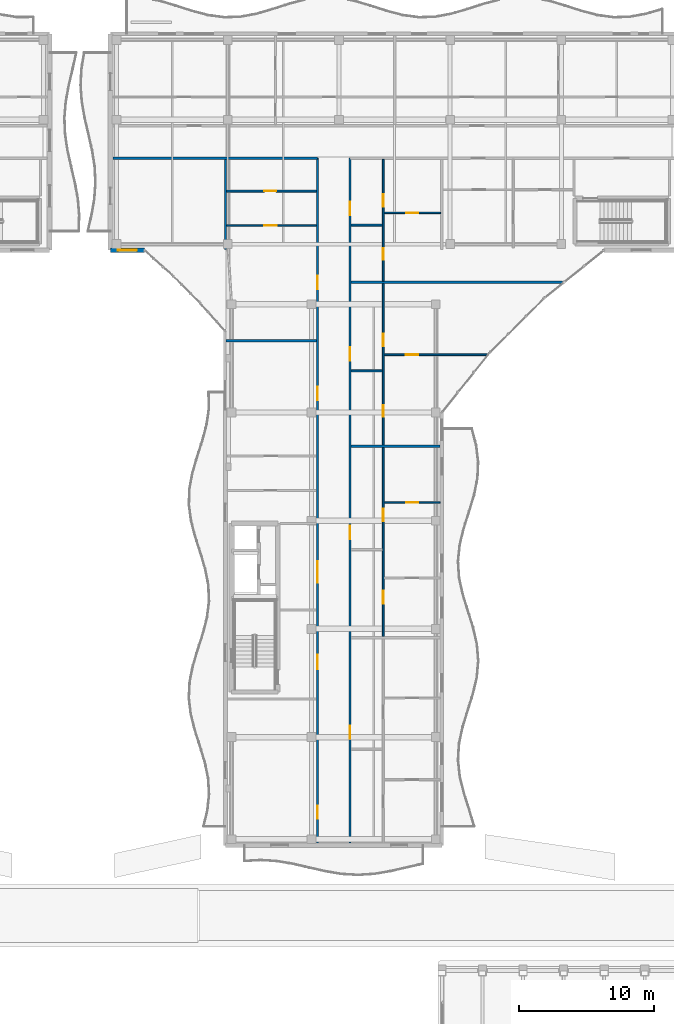
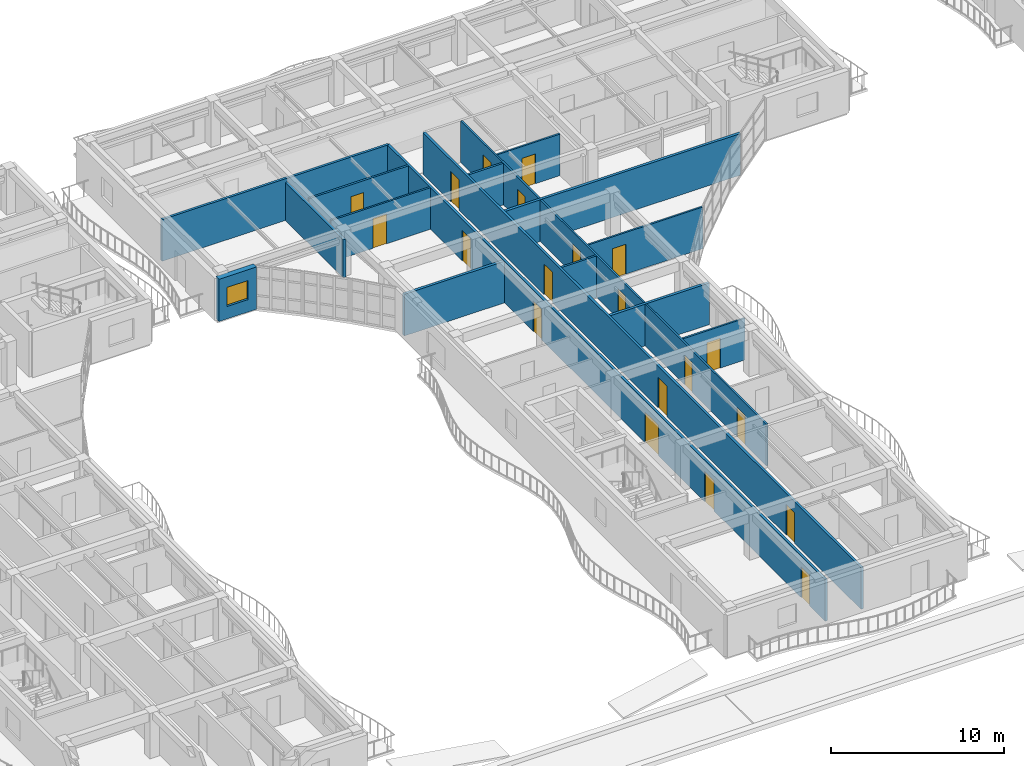
# One storey, part 88 of 128: 20 doors, 18 walls, 1 window, 21 openings.
"""IFC4 building model written with IfcOpenShell, lengths in metres."""

from ifc_helpers import new_model, si_unit, direction, frame, frame_2d, origin, place, context, subcontext, project, spatial, rectangle, extrude, material, layer, layer_set, type_object, element, fill, save


model = new_model("IFC4")

# Units and contexts
model_context = context("Model", 3, precision=1e-05, world=origin(), true_north=direction((0.0, 1.0)))
body_context = subcontext(model_context, "Body", "Model", "MODEL_VIEW")
ifc_project = project(units=[si_unit("LENGTHUNIT", "METRE"), si_unit("AREAUNIT", "SQUARE_METRE"), si_unit("VOLUMEUNIT", "CUBIC_METRE"), si_unit("PLANEANGLEUNIT", "RADIAN"), si_unit("MASSUNIT", "GRAM", prefix="KILO")], contexts=[model_context])

# Site, building, storey
site_placement = place(None, origin())
site = spatial("IfcSite", under=ifc_project, at=site_placement, CompositionType="ELEMENT")
building_placement = place(site_placement, origin())
building = spatial("IfcBuilding", under=site, at=building_placement, Name="Keldmere Railside Commons", CompositionType="ELEMENT")
storey_placement = place(building_placement, frame((0.0, 0.0, 4.159912109375)))
storey = spatial("IfcBuildingStorey", under=building, at=storey_placement, Name="L01", CompositionType="ELEMENT", Elevation=4.159912109375)

# Walls
ifc_material_1 = material(Name="Acoustic Gypsum Board Partition", Category="gypsum")
ifc_layer_1 = layer(ifc_material_1, 0.179931640625, Name="Acoustic Demising Partition 180")
ifc_layer_set_1 = layer_set([ifc_layer_1], Name="Acoustic Gypsum Board Partition")
wall_type_1 = type_object("IfcWallType", Name="Acoustic Demising Partition 180", PredefinedType="PARTITIONING", material=ifc_layer_set_1)
wall_1_placement = place(storey_placement, frame((48.0, 100.050048828125, 0.0), z_axis=(0.0, 0.0, 1.0), x_axis=(0.0, 1.0, 0.0)))
element("IfcWall", 1, at=wall_1_placement, inside=storey, type_object=wall_type_1, Name="IW-1 IW-L01-0512", PredefinedType="PARTITIONING", context=body_context, shape_type="SweptSolid", body=[
    extrude(rectangle(XDim=6.669921875, YDim=0.179931640625, at=frame_2d((3.3349609375, 0.0))), origin(), (0.0, 0.0, 1.0), 2.68017578125),
])
wall_2_placement = place(storey_placement, frame((57.280029296875, 85.489990234375, 0.0), z_axis=(0.0, 0.0, 1.0), x_axis=(1.0, 0.0, 0.0)))
element("IfcWall", 2, at=wall_2_placement, inside=storey, type_object=wall_type_1, Name="IW-1 IW-L01-0516", PredefinedType="PARTITIONING", context=body_context, shape_type="SweptSolid", body=[
    extrude(rectangle(XDim=6.590087890625, YDim=0.179931640625, at=frame_2d((3.294921875, 0.0))), origin(), (0.0, 0.0, 1.0), 2.93505859375),
])
wall_3_placement = place(storey_placement, frame((57.280029296875, 97.6201171875, 0.0), z_axis=(0.0, 0.0, 1.0), x_axis=(1.0, 0.0, 0.0)))
element("IfcWall", 3, at=wall_3_placement, inside=storey, type_object=wall_type_1, Name="IW-1 IW-L01-0517", PredefinedType="PARTITIONING", context=body_context, shape_type="SweptSolid", body=[
    extrude(rectangle(XDim=15.689453125, YDim=0.179931640625, at=frame_2d((7.8447265625, 0.0))), origin(), (0.0, 0.0, 1.0), 2.93505859375),
])
wall_4_placement = place(storey_placement, frame((48.0400390625, 93.300048828125, 0.0), z_axis=(0.0, 0.0, 1.0), x_axis=(1.0, 0.0, 0.0)))
element("IfcWall", 4, at=wall_4_placement, inside=storey, type_object=wall_type_1, Name="IW-1 IW-L01-0542", PredefinedType="PARTITIONING", context=body_context, shape_type="SweptSolid", body=[
    extrude(rectangle(XDim=6.679931640625, YDim=0.179931640625, at=frame_2d((3.33984375, 0.0))), origin(), (0.0, 0.0, 1.0), 2.93505859375),
])

# Wall, openings, doors
ifc_layer_2 = layer(ifc_material_1, 0.1201171875, Name="Apartment Interior Partition 120")
ifc_layer_set_2 = layer_set([ifc_layer_2], Name="Acoustic Gypsum Board Partition")
wall_type_2 = type_object("IfcWallType", Name="Apartment Interior Partition 120", PredefinedType="PARTITIONING", material=ifc_layer_set_2)
wall_5_placement = place(storey_placement, frame((59.659912109375, 71.429931640625, 0.0), z_axis=(0.0, 0.0, 1.0), x_axis=(0.0, 1.0, 0.0)))
wall_5 = element("IfcWall", 5, at=wall_5_placement, inside=storey, type_object=wall_type_2, Name="IW-4 IW-L01-0522", PredefinedType="PARTITIONING", context=body_context, shape_type="SweptSolid", body=[
    extrude(rectangle(XDim=13.969970703125, YDim=0.1201171875, at=frame_2d((6.98486328125, 0.0))), origin(), (0.0, 0.0, 1.0), 2.93505859375),
])
opening_1_placement = place(wall_5_placement, frame((2.443359375, 0.0, 0.0)))
opening_1 = element("IfcOpeningElement", 6, at=opening_1_placement, cuts=wall_5, Name="Opening ID-05", PredefinedType="OPENING", context=body_context, shape_type="SweptSolid", body=[
    extrude(rectangle(XDim=0.93994140625, YDim=2.10009765625, at=frame_2d((0.469970703125, 1.050048828125))), frame((0.0, 0.070068359375, 0.0), z_axis=(0.0, -1.0, 0.0), x_axis=(1.0, 0.0, 0.0)), (0.0, 0.0, 1.0), 0.14013671875),
])
opening_2_placement = place(wall_5_placement, frame((8.541259765625, 0.0, 0.0)))
opening_2 = element("IfcOpeningElement", 7, at=opening_2_placement, cuts=wall_5, Name="Opening ID-03", PredefinedType="OPENING", context=body_context, shape_type="SweptSolid", body=[
    extrude(rectangle(XDim=0.919921875, YDim=2.10009765625, at=frame_2d((0.4599609375, 1.050048828125))), frame((0.0, 0.070068359375, 0.0), z_axis=(0.0, -1.0, 0.0), x_axis=(1.0, 0.0, 0.0)), (0.0, 0.0, 1.0), 0.14013671875),
])
ifc_material_2 = material(Name="Engineered Oak Timber", Category="wood")
door_type_1 = type_object("IfcDoorType", Name="Accessible Bathroom Door 940x2100", OperationType="NOTDEFINED", PredefinedType="DOOR", material=ifc_material_2)
door_1_placement = place(opening_1_placement, origin())
door_1 = element("IfcDoor", 8, at=door_1_placement, inside=storey, type_object=door_type_1, Name="ID-05 IDR-L01-0411", OperationType="SINGLE_SWING_LEFT", OverallHeight=2.10009765625, OverallWidth=0.93994140625, PredefinedType="DOOR", context=body_context, shape_type="SweptSolid", body=[
    extrude(rectangle(XDim=0.93994140625, YDim=2.10009765625, at=frame_2d((0.469970703125, 1.050048828125))), frame((0.0, 0.02490234375, 0.0), z_axis=(0.0, -1.0, 0.0), x_axis=(1.0, 0.0, 0.0)), (0.0, 0.0, 1.0), 0.050048828125),
])
fill(opening_1, door_1)
door_type_2 = type_object("IfcDoorType", Name="Kitchen Pocket-Frame Swing Door 920x2100", OperationType="NOTDEFINED", PredefinedType="DOOR", material=ifc_material_2)
door_2_placement = place(opening_2_placement, origin())
door_2 = element("IfcDoor", 9, at=door_2_placement, inside=storey, type_object=door_type_2, Name="ID-03 IDR-L01-0412", OperationType="SINGLE_SWING_RIGHT", OverallHeight=2.10009765625, OverallWidth=0.919921875, PredefinedType="DOOR", context=body_context, shape_type="SweptSolid", body=[
    extrude(rectangle(XDim=0.919921875, YDim=2.10009765625, at=frame_2d((0.4599609375, 1.050048828125))), frame((0.0, 0.02490234375, 0.0), z_axis=(0.0, -1.0, 0.0), x_axis=(1.0, 0.0, 0.0)), (0.0, 0.0, 1.0), 0.050048828125),
])
fill(opening_2, door_2)

# Wall, opening, door
wall_6_placement = place(storey_placement, frame((59.719970703125, 81.35009765625, 0.0), z_axis=(0.0, 0.0, 1.0), x_axis=(1.0, 0.0, 0.0)))
wall_6 = element("IfcWall", 10, at=wall_6_placement, inside=storey, type_object=wall_type_2, Name="IW-4 IW-L01-0525", PredefinedType="PARTITIONING", context=body_context, shape_type="SweptSolid", body=[
    extrude(rectangle(XDim=4.150146484375, YDim=0.1201171875, at=frame_2d((2.0751953125, 0.0))), origin(), (0.0, 0.0, 1.0), 2.93505859375),
])
opening_3_placement = place(wall_6_placement, frame((1.635009765625, 0.0, 0.0)))
opening_3 = element("IfcOpeningElement", 11, at=opening_3_placement, cuts=wall_6, Name="Opening ID-02", PredefinedType="OPENING", context=body_context, shape_type="SweptSolid", body=[
    extrude(rectangle(XDim=0.8798828125, YDim=2.10009765625, at=frame_2d((0.43994140625, 1.050048828125))), frame((0.0, 0.070068359375, 0.0), z_axis=(0.0, -1.0, 0.0), x_axis=(1.0, 0.0, 0.0)), (0.0, 0.0, 1.0), 0.14013671875),
])
door_type_3 = type_object("IfcDoorType", Name="Secondary Bedroom Door 880x2100", OperationType="NOTDEFINED", PredefinedType="DOOR", material=ifc_material_2)
door_3_placement = place(opening_3_placement, origin())
door_3 = element("IfcDoor", 12, at=door_3_placement, inside=storey, type_object=door_type_3, Name="ID-02 IDR-L01-0415", OperationType="SINGLE_SWING_LEFT", OverallHeight=2.10009765625, OverallWidth=0.8798828125, PredefinedType="DOOR", context=body_context, shape_type="SweptSolid", body=[
    extrude(rectangle(XDim=0.8798828125, YDim=2.10009765625, at=frame_2d((0.43994140625, 1.050048828125))), frame((0.0, 0.02490234375, 0.0), z_axis=(0.0, -1.0, 0.0), x_axis=(1.0, 0.0, 0.0)), (0.0, 0.0, 1.0), 0.050048828125),
])
fill(opening_3, door_3)

# Wall, openings, doors
wall_7_placement = place(storey_placement, frame((59.659912109375, 85.580078125, 0.0), z_axis=(0.0, 0.0, 1.0), x_axis=(0.0, 1.0, 0.0)))
wall_7 = element("IfcWall", 13, at=wall_7_placement, inside=storey, type_object=wall_type_2, Name="IW-4 IW-L01-0526", PredefinedType="PARTITIONING", context=body_context, shape_type="SweptSolid", body=[
    extrude(rectangle(XDim=11.949951171875, YDim=0.1201171875, at=frame_2d((5.97509765625, 0.0))), origin(), (0.0, 0.0, 1.0), 2.93505859375),
])
opening_4_placement = place(wall_7_placement, frame((2.090087890625, 0.0, 0.0)))
opening_4 = element("IfcOpeningElement", 14, at=opening_4_placement, cuts=wall_7, Name="Opening ID-04", PredefinedType="OPENING", context=body_context, shape_type="SweptSolid", body=[
    extrude(rectangle(XDim=0.860107421875, YDim=2.10009765625, at=frame_2d((0.43017578125, 1.050048828125))), frame((0.0, 0.070068359375, 0.0), z_axis=(0.0, -1.0, 0.0), x_axis=(1.0, 0.0, 0.0)), (0.0, 0.0, 1.0), 0.14013671875),
])
opening_5_placement = place(wall_7_placement, frame((7.305908203125, 0.0, 0.0)))
opening_5 = element("IfcOpeningElement", 15, at=opening_5_placement, cuts=wall_7, Name="Opening ID-03", PredefinedType="OPENING", context=body_context, shape_type="SweptSolid", body=[
    extrude(rectangle(XDim=0.919921875, YDim=2.10009765625, at=frame_2d((0.4599609375, 1.050048828125))), frame((0.0, 0.070068359375, 0.0), z_axis=(0.0, -1.0, 0.0), x_axis=(1.0, 0.0, 0.0)), (0.0, 0.0, 1.0), 0.14013671875),
])
door_type_4 = type_object("IfcDoorType", Name="Apartment Bathroom Door 860x2100", OperationType="NOTDEFINED", PredefinedType="DOOR", material=ifc_material_2)
door_4_placement = place(opening_4_placement, origin())
door_4 = element("IfcDoor", 16, at=door_4_placement, inside=storey, type_object=door_type_4, Name="ID-04 IDR-L01-0416", OperationType="SINGLE_SWING_RIGHT", OverallHeight=2.10009765625, OverallWidth=0.860107421875, PredefinedType="DOOR", context=body_context, shape_type="SweptSolid", body=[
    extrude(rectangle(XDim=0.860107421875, YDim=2.10009765625, at=frame_2d((0.43017578125, 1.050048828125))), frame((0.0, 0.02490234375, 0.0), z_axis=(0.0, -1.0, 0.0), x_axis=(1.0, 0.0, 0.0)), (0.0, 0.0, 1.0), 0.050048828125),
])
fill(opening_4, door_4)
door_5_placement = place(opening_5_placement, origin())
door_5 = element("IfcDoor", 17, at=door_5_placement, inside=storey, type_object=door_type_2, Name="ID-03 IDR-L01-0417", OperationType="SINGLE_SWING_LEFT", OverallHeight=2.10009765625, OverallWidth=0.919921875, PredefinedType="DOOR", context=body_context, shape_type="SweptSolid", body=[
    extrude(rectangle(XDim=0.919921875, YDim=2.10009765625, at=frame_2d((0.4599609375, 1.050048828125))), frame((0.0, 0.02490234375, 0.0), z_axis=(0.0, -1.0, 0.0), x_axis=(1.0, 0.0, 0.0)), (0.0, 0.0, 1.0), 0.050048828125),
])
fill(opening_5, door_5)

# Wall, opening, door
wall_8_placement = place(storey_placement, frame((59.719970703125, 92.27001953125, 0.0), z_axis=(0.0, 0.0, 1.0), x_axis=(1.0, 0.0, 0.0)))
wall_8 = element("IfcWall", 18, at=wall_8_placement, inside=storey, type_object=wall_type_2, Name="IW-4 IW-L01-0528", PredefinedType="PARTITIONING", context=body_context, shape_type="SweptSolid", body=[
    extrude(rectangle(XDim=7.654541015625, YDim=0.1201171875, at=frame_2d((3.8271484375, 0.0))), origin(), (0.0, 0.0, 1.0), 2.93505859375),
])
opening_6_placement = place(wall_8_placement, frame((1.625, 0.0, 0.0)))
opening_6 = element("IfcOpeningElement", 19, at=opening_6_placement, cuts=wall_8, Name="Opening ID-01", PredefinedType="OPENING", context=body_context, shape_type="SweptSolid", body=[
    extrude(rectangle(XDim=0.89990234375, YDim=2.10009765625, at=frame_2d((0.449951171875, 1.050048828125))), frame((0.0, 0.070068359375, 0.0), z_axis=(0.0, -1.0, 0.0), x_axis=(1.0, 0.0, 0.0)), (0.0, 0.0, 1.0), 0.14013671875),
])
door_type_5 = type_object("IfcDoorType", Name="Primary Bedroom Door 900x2100", OperationType="NOTDEFINED", PredefinedType="DOOR", material=ifc_material_2)
door_6_placement = place(opening_6_placement, origin())
door_6 = element("IfcDoor", 20, at=door_6_placement, inside=storey, type_object=door_type_5, Name="ID-01 IDR-L01-0419", OperationType="SINGLE_SWING_LEFT", OverallHeight=2.10009765625, OverallWidth=0.89990234375, PredefinedType="DOOR", context=body_context, shape_type="SweptSolid", body=[
    extrude(rectangle(XDim=0.89990234375, YDim=2.10009765625, at=frame_2d((0.449951171875, 1.050048828125))), frame((0.0, 0.02490234375, 0.0), z_axis=(0.0, -1.0, 0.0), x_axis=(1.0, 0.0, 0.0)), (0.0, 0.0, 1.0), 0.050048828125),
])
fill(opening_6, door_6)

# Wall, openings, doors
wall_9_placement = place(storey_placement, frame((59.659912109375, 97.7099609375, 0.0), z_axis=(0.0, 0.0, 1.0), x_axis=(0.0, 1.0, 0.0)))
wall_9 = element("IfcWall", 21, at=wall_9_placement, inside=storey, type_object=wall_type_2, Name="IW-4 IW-L01-0529", PredefinedType="PARTITIONING", context=body_context, shape_type="SweptSolid", body=[
    extrude(rectangle(XDim=9.010009765625, YDim=0.1201171875, at=frame_2d((4.5048828125, 0.0))), origin(), (0.0, 0.0, 1.0), 2.93505859375),
])
opening_7_placement = place(wall_9_placement, frame((1.5732421875, 0.0, 0.0)))
opening_7 = element("IfcOpeningElement", 22, at=opening_7_placement, cuts=wall_9, Name="Opening ID-04", PredefinedType="OPENING", context=body_context, shape_type="SweptSolid", body=[
    extrude(rectangle(XDim=0.860107421875, YDim=2.10009765625, at=frame_2d((0.43017578125, 1.050048828125))), frame((0.0, 0.070068359375, 0.0), z_axis=(0.0, -1.0, 0.0), x_axis=(1.0, 0.0, 0.0)), (0.0, 0.0, 1.0), 0.14013671875),
])
opening_8_placement = place(wall_9_placement, frame((5.503662109375, 0.0, 0.0)))
opening_8 = element("IfcOpeningElement", 23, at=opening_8_placement, cuts=wall_9, Name="Opening ID-03", PredefinedType="OPENING", context=body_context, shape_type="SweptSolid", body=[
    extrude(rectangle(XDim=0.919921875, YDim=2.10009765625, at=frame_2d((0.4599609375, 1.050048828125))), frame((0.0, 0.070068359375, 0.0), z_axis=(0.0, -1.0, 0.0), x_axis=(1.0, 0.0, 0.0)), (0.0, 0.0, 1.0), 0.14013671875),
])
door_7_placement = place(opening_7_placement, origin())
door_7 = element("IfcDoor", 24, at=door_7_placement, inside=storey, type_object=door_type_4, Name="ID-04 IDR-L01-0420", OperationType="SINGLE_SWING_RIGHT", OverallHeight=2.10009765625, OverallWidth=0.860107421875, PredefinedType="DOOR", context=body_context, shape_type="SweptSolid", body=[
    extrude(rectangle(XDim=0.860107421875, YDim=2.10009765625, at=frame_2d((0.43017578125, 1.050048828125))), frame((0.0, 0.02490234375, 0.0), z_axis=(0.0, -1.0, 0.0), x_axis=(1.0, 0.0, 0.0)), (0.0, 0.0, 1.0), 0.050048828125),
])
fill(opening_7, door_7)
door_8_placement = place(opening_8_placement, origin())
door_8 = element("IfcDoor", 25, at=door_8_placement, inside=storey, type_object=door_type_2, Name="ID-03 IDR-L01-0421", OperationType="SINGLE_SWING_LEFT", OverallHeight=2.10009765625, OverallWidth=0.919921875, PredefinedType="DOOR", context=body_context, shape_type="SweptSolid", body=[
    extrude(rectangle(XDim=0.919921875, YDim=2.10009765625, at=frame_2d((0.4599609375, 1.050048828125))), frame((0.0, 0.02490234375, 0.0), z_axis=(0.0, -1.0, 0.0), x_axis=(1.0, 0.0, 0.0)), (0.0, 0.0, 1.0), 0.050048828125),
])
fill(opening_8, door_8)

# Wall, opening, door
wall_10_placement = place(storey_placement, frame((59.719970703125, 102.760009765625, 0.0), z_axis=(0.0, 0.0, 1.0), x_axis=(1.0, 0.0, 0.0)))
wall_10 = element("IfcWall", 26, at=wall_10_placement, inside=storey, type_object=wall_type_2, Name="IW-4 IW-L01-0531", PredefinedType="PARTITIONING", context=body_context, shape_type="SweptSolid", body=[
    extrude(rectangle(XDim=4.18994140625, YDim=0.1201171875, at=frame_2d((2.094970703125, 0.0))), origin(), (0.0, 0.0, 1.0), 2.93505859375),
])
opening_9_placement = place(wall_10_placement, frame((1.64501953125, 0.0, 0.0)))
opening_9 = element("IfcOpeningElement", 27, at=opening_9_placement, cuts=wall_10, Name="Opening ID-01", PredefinedType="OPENING", context=body_context, shape_type="SweptSolid", body=[
    extrude(rectangle(XDim=0.89990234375, YDim=2.10009765625, at=frame_2d((0.449951171875, 1.050048828125))), frame((0.0, 0.070068359375, 0.0), z_axis=(0.0, -1.0, 0.0), x_axis=(1.0, 0.0, 0.0)), (0.0, 0.0, 1.0), 0.14013671875),
])
door_9_placement = place(opening_9_placement, origin())
door_9 = element("IfcDoor", 28, at=door_9_placement, inside=storey, type_object=door_type_5, Name="ID-01 IDR-L01-0423", OperationType="SINGLE_SWING_LEFT", OverallHeight=2.10009765625, OverallWidth=0.89990234375, PredefinedType="DOOR", context=body_context, shape_type="SweptSolid", body=[
    extrude(rectangle(XDim=0.89990234375, YDim=2.10009765625, at=frame_2d((0.449951171875, 1.050048828125))), frame((0.0, 0.02490234375, 0.0), z_axis=(0.0, -1.0, 0.0), x_axis=(1.0, 0.0, 0.0)), (0.0, 0.0, 1.0), 0.050048828125),
])
fill(opening_9, door_9)

wall_11_placement = place(storey_placement, frame((48.090087890625, 101.820068359375, 0.0), z_axis=(0.0, 0.0, 1.0), x_axis=(1.0, 0.0, 0.0)))
wall_11 = element("IfcWall", 29, at=wall_11_placement, inside=storey, type_object=wall_type_2, Name="IW-4 IW-L01-0545", PredefinedType="PARTITIONING", context=body_context, shape_type="SweptSolid", body=[
    extrude(rectangle(XDim=6.6298828125, YDim=0.1201171875, at=frame_2d((3.31494140625, 0.0))), origin(), (0.0, 0.0, 1.0), 2.93505859375),
])
opening_10_placement = place(wall_11_placement, frame((2.78466796875, 0.0, 0.0)))
opening_10 = element("IfcOpeningElement", 30, at=opening_10_placement, cuts=wall_11, Name="Opening ID-03", PredefinedType="OPENING", context=body_context, shape_type="SweptSolid", body=[
    extrude(rectangle(XDim=0.919921875, YDim=2.10009765625, at=frame_2d((0.4599609375, 1.050048828125))), frame((0.0, 0.070068359375, 0.0), z_axis=(0.0, -1.0, 0.0), x_axis=(1.0, 0.0, 0.0)), (0.0, 0.0, 1.0), 0.14013671875),
])
door_10_placement = place(opening_10_placement, origin())
door_10 = element("IfcDoor", 31, at=door_10_placement, inside=storey, type_object=door_type_2, Name="ID-03 IDR-L01-0443", OperationType="SINGLE_SWING_LEFT", OverallHeight=2.10009765625, OverallWidth=0.919921875, PredefinedType="DOOR", context=body_context, shape_type="SweptSolid", body=[
    extrude(rectangle(XDim=0.919921875, YDim=2.10009765625, at=frame_2d((0.4599609375, 1.050048828125))), frame((0.0, 0.02490234375, 0.0), z_axis=(0.0, -1.0, 0.0), x_axis=(1.0, 0.0, 0.0)), (0.0, 0.0, 1.0), 0.050048828125),
])
fill(opening_10, door_10)

# Wall, openings, doors
ifc_layer_3 = layer(ifc_material_1, 0.159912109375, Name="Corridor Fire Partition 160")
ifc_layer_set_3 = layer_set([ifc_layer_3], Name="Acoustic Gypsum Board Partition")
wall_type_3 = type_object("IfcWallType", Name="Corridor Fire Partition 160", PredefinedType="PARTITIONING", material=ifc_layer_set_3)
wall_12_placement = place(storey_placement, frame((54.800048828125, 56.179931640625, 0.0), z_axis=(0.0, 0.0, 1.0), x_axis=(0.0, 1.0, 0.0)))
wall_12 = element("IfcWall", 32, at=wall_12_placement, inside=storey, type_object=wall_type_3, Name="IW-2 IW-L01-0506", PredefinedType="PARTITIONING", context=body_context, shape_type="SweptSolid", body=[
    extrude(rectangle(XDim=50.6201171875, YDim=0.159912109375, at=frame_2d((25.31005859375, 0.0))), origin(), (0.0, 0.0, 1.0), 2.93505859375),
])
opening_11_placement = place(wall_12_placement, frame((12.820068359375, 0.0, 0.0)))
opening_11 = element("IfcOpeningElement", 33, at=opening_11_placement, cuts=wall_12, Name="Opening FD-2", PredefinedType="OPENING", context=body_context, shape_type="SweptSolid", body=[
    extrude(rectangle(XDim=1.10009765625, YDim=2.14990234375, at=frame_2d((0.550048828125, 1.074951171875))), frame((0.0, 0.08984375, 0.0), z_axis=(0.0, -1.0, 0.0), x_axis=(1.0, 0.0, 0.0)), (0.0, 0.0, 1.0), 0.179931640625),
])
opening_12_placement = place(wall_12_placement, frame((19.219970703125, 0.0, 0.0)))
opening_12 = element("IfcOpeningElement", 34, at=opening_12_placement, cuts=wall_12, Name="Opening FD-4", PredefinedType="OPENING", context=body_context, shape_type="SweptSolid", body=[
    extrude(rectangle(XDim=1.60009765625, YDim=2.14990234375, at=frame_2d((0.800048828125, 1.074951171875))), frame((0.0, 0.08984375, 0.0), z_axis=(0.0, -1.0, 0.0), x_axis=(1.0, 0.0, 0.0)), (0.0, 0.0, 1.0), 0.179931640625),
])
opening_13_placement = place(wall_12_placement, frame((1.800048828125, 0.0, 0.0)))
opening_13 = element("IfcOpeningElement", 35, at=opening_13_placement, cuts=wall_12, Name="Opening ID-08", PredefinedType="OPENING", context=body_context, shape_type="SweptSolid", body=[
    extrude(rectangle(XDim=0.9599609375, YDim=2.14990234375, at=frame_2d((0.47998046875, 1.074951171875))), frame((0.0, 0.08984375, 0.0), z_axis=(0.0, -1.0, 0.0), x_axis=(1.0, 0.0, 0.0)), (0.0, 0.0, 1.0), 0.179931640625),
])
opening_14_placement = place(wall_12_placement, frame((32.72509765625, 0.0, 0.0)))
opening_14 = element("IfcOpeningElement", 36, at=opening_14_placement, cuts=wall_12, Name="Opening FD-7", PredefinedType="OPENING", context=body_context, shape_type="SweptSolid", body=[
    extrude(rectangle(XDim=0.97998046875, YDim=2.14990234375, at=frame_2d((0.489990234375, 1.074951171875))), frame((0.0, 0.08984375, 0.0), z_axis=(0.0, -1.0, 0.0), x_axis=(1.0, 0.0, 0.0)), (0.0, 0.0, 1.0), 0.179931640625),
])
opening_15_placement = place(wall_12_placement, frame((40.93505859375, 0.0, 0.0)))
opening_15 = element("IfcOpeningElement", 37, at=opening_15_placement, cuts=wall_12, Name="Opening FD-7", PredefinedType="OPENING", context=body_context, shape_type="SweptSolid", body=[
    extrude(rectangle(XDim=0.97998046875, YDim=2.14990234375, at=frame_2d((0.489990234375, 1.074951171875))), frame((0.0, 0.08984375, 0.0), z_axis=(0.0, -1.0, 0.0), x_axis=(1.0, 0.0, 0.0)), (0.0, 0.0, 1.0), 0.179931640625),
])
door_type_6 = type_object("IfcDoorType", Name="Apartment Entrance Acoustic Fire Door 980x2150", OperationType="NOTDEFINED", PredefinedType="DOOR", material=ifc_material_2)
door_11_placement = place(opening_14_placement, origin())
door_11 = element("IfcDoor", 38, at=door_11_placement, inside=storey, type_object=door_type_6, Name="FD-7 IDR-L01-0441", OperationType="SINGLE_SWING_LEFT", OverallHeight=2.14990234375, OverallWidth=0.97998046875, PredefinedType="DOOR", context=body_context, shape_type="SweptSolid", body=[
    extrude(rectangle(XDim=0.97998046875, YDim=2.14990234375, at=frame_2d((0.489990234375, 1.074951171875))), frame((0.0, 0.02490234375, 0.0), z_axis=(0.0, -1.0, 0.0), x_axis=(1.0, 0.0, 0.0)), (0.0, 0.0, 1.0), 0.050048828125),
])
fill(opening_14, door_11)
door_12_placement = place(opening_15_placement, origin())
door_12 = element("IfcDoor", 39, at=door_12_placement, inside=storey, type_object=door_type_6, Name="FD-7 IDR-L01-0444", OperationType="SINGLE_SWING_RIGHT", OverallHeight=2.14990234375, OverallWidth=0.97998046875, PredefinedType="DOOR", context=body_context, shape_type="SweptSolid", body=[
    extrude(rectangle(XDim=0.97998046875, YDim=2.14990234375, at=frame_2d((0.489990234375, 1.074951171875))), frame((0.0, 0.02490234375, 0.0), z_axis=(0.0, -1.0, 0.0), x_axis=(1.0, 0.0, 0.0)), (0.0, 0.0, 1.0), 0.050048828125),
])
fill(opening_15, door_12)
ifc_material_3 = material(Name="Steel F-24 (S235)", Category="steel")
door_type_7 = type_object("IfcDoorType", Name="Corridor Cross-Compartment Double Fire Door 1600x2150", OperationType="DOUBLE_DOOR_SINGLE_SWING", PredefinedType="DOOR", material=ifc_material_3)
door_13_placement = place(opening_12_placement, origin())
door_13 = element("IfcDoor", 40, at=door_13_placement, inside=storey, type_object=door_type_7, Name="FD-4 IDR-L01-0405", OperationType="DOUBLE_DOOR_SINGLE_SWING", OverallHeight=2.14990234375, OverallWidth=1.60009765625, PredefinedType="DOOR", context=body_context, shape_type="SweptSolid", body=[
    extrude(rectangle(XDim=1.60009765625, YDim=2.14990234375, at=frame_2d((0.800048828125, 1.074951171875))), frame((0.0, 0.02490234375, 0.0), z_axis=(0.0, -1.0, 0.0), x_axis=(1.0, 0.0, 0.0)), (0.0, 0.0, 1.0), 0.050048828125),
])
fill(opening_12, door_13)
door_type_8 = type_object("IfcDoorType", Name="Firefighting Lobby Fire Door 1100x2150", OperationType="NOTDEFINED", PredefinedType="DOOR", material=ifc_material_3)
door_14_placement = place(opening_11_placement, origin())
door_14 = element("IfcDoor", 41, at=door_14_placement, inside=storey, type_object=door_type_8, Name="FD-2 IDR-L01-0404", OperationType="SINGLE_SWING_RIGHT", OverallHeight=2.14990234375, OverallWidth=1.10009765625, PredefinedType="DOOR", context=body_context, shape_type="SweptSolid", body=[
    extrude(rectangle(XDim=1.10009765625, YDim=2.14990234375, at=frame_2d((0.550048828125, 1.074951171875))), frame((0.0, 0.02490234375, 0.0), z_axis=(0.0, -1.0, 0.0), x_axis=(1.0, 0.0, 0.0)), (0.0, 0.0, 1.0), 0.050048828125),
])
fill(opening_11, door_14)
door_type_9 = type_object("IfcDoorType", Name="Study & Meeting Room Door 960x2150", OperationType="NOTDEFINED", PredefinedType="DOOR", material=ifc_material_2)
door_15_placement = place(opening_13_placement, origin())
door_15 = element("IfcDoor", 42, at=door_15_placement, inside=storey, type_object=door_type_9, Name="ID-08 IDR-L01-0438", OperationType="SINGLE_SWING_RIGHT", OverallHeight=2.14990234375, OverallWidth=0.9599609375, PredefinedType="DOOR", context=body_context, shape_type="SweptSolid", body=[
    extrude(rectangle(XDim=0.9599609375, YDim=2.14990234375, at=frame_2d((0.47998046875, 1.074951171875))), frame((0.0, 0.02490234375, 0.0), z_axis=(0.0, -1.0, 0.0), x_axis=(1.0, 0.0, 0.0)), (0.0, 0.0, 1.0), 0.050048828125),
])
fill(opening_13, door_15)

wall_13_placement = place(storey_placement, frame((57.199951171875, 56.179931640625, 0.0), z_axis=(0.0, 0.0, 1.0), x_axis=(0.0, 1.0, 0.0)))
wall_13 = element("IfcWall", 43, at=wall_13_placement, inside=storey, type_object=wall_type_3, Name="IW-2 IW-L01-0507", PredefinedType="PARTITIONING", context=body_context, shape_type="SweptSolid", body=[
    extrude(rectangle(XDim=50.6201171875, YDim=0.159912109375, at=frame_2d((25.31005859375, 0.0))), origin(), (0.0, 0.0, 1.0), 2.93505859375),
])
opening_16_placement = place(wall_13_placement, frame((7.679931640625, 0.0, 0.0)))
opening_16 = element("IfcOpeningElement", 44, at=opening_16_placement, cuts=wall_13, Name="Opening FD-7", PredefinedType="OPENING", context=body_context, shape_type="SweptSolid", body=[
    extrude(rectangle(XDim=0.97998046875, YDim=2.14990234375, at=frame_2d((0.489990234375, 1.074951171875))), frame((0.0, 0.08984375, 0.0), z_axis=(0.0, -1.0, 0.0), x_axis=(1.0, 0.0, 0.0)), (0.0, 0.0, 1.0), 0.179931640625),
])
opening_17_placement = place(wall_13_placement, frame((22.429931640625, 0.0, 0.0)))
opening_17 = element("IfcOpeningElement", 45, at=opening_17_placement, cuts=wall_13, Name="Opening FD-8", PredefinedType="OPENING", context=body_context, shape_type="SweptSolid", body=[
    extrude(rectangle(XDim=1.02001953125, YDim=2.14990234375, at=frame_2d((0.510009765625, 1.074951171875))), frame((0.0, 0.08984375, 0.0), z_axis=(0.0, -1.0, 0.0), x_axis=(1.0, 0.0, 0.0)), (0.0, 0.0, 1.0), 0.179931640625),
])
opening_18_placement = place(wall_13_placement, frame((35.64990234375, 0.0, 0.0)))
opening_18 = element("IfcOpeningElement", 46, at=opening_18_placement, cuts=wall_13, Name="Opening FD-7", PredefinedType="OPENING", context=body_context, shape_type="SweptSolid", body=[
    extrude(rectangle(XDim=0.97998046875, YDim=2.14990234375, at=frame_2d((0.489990234375, 1.074951171875))), frame((0.0, 0.08984375, 0.0), z_axis=(0.0, -1.0, 0.0), x_axis=(1.0, 0.0, 0.0)), (0.0, 0.0, 1.0), 0.179931640625),
])
opening_19_placement = place(wall_13_placement, frame((46.419921875, 0.0, 0.0)))
opening_19 = element("IfcOpeningElement", 47, at=opening_19_placement, cuts=wall_13, Name="Opening FD-7", PredefinedType="OPENING", context=body_context, shape_type="SweptSolid", body=[
    extrude(rectangle(XDim=0.97998046875, YDim=2.14990234375, at=frame_2d((0.489990234375, 1.074951171875))), frame((0.0, 0.08984375, 0.0), z_axis=(0.0, -1.0, 0.0), x_axis=(1.0, 0.0, 0.0)), (0.0, 0.0, 1.0), 0.179931640625),
])
door_type_10 = type_object("IfcDoorType", Name="Adaptable Apartment Entrance Fire Door 1020x2150", OperationType="NOTDEFINED", PredefinedType="DOOR", material=ifc_material_2)
door_16_placement = place(opening_17_placement, origin())
door_16 = element("IfcDoor", 48, at=door_16_placement, inside=storey, type_object=door_type_10, Name="FD-8 IDR-L01-0413", OperationType="SINGLE_SWING_LEFT", OverallHeight=2.14990234375, OverallWidth=1.02001953125, PredefinedType="DOOR", context=body_context, shape_type="SweptSolid", body=[
    extrude(rectangle(XDim=1.02001953125, YDim=2.14990234375, at=frame_2d((0.510009765625, 1.074951171875))), frame((0.0, 0.02490234375, 0.0), z_axis=(0.0, -1.0, 0.0), x_axis=(1.0, 0.0, 0.0)), (0.0, 0.0, 1.0), 0.050048828125),
])
fill(opening_17, door_16)
door_17_placement = place(opening_16_placement, origin())
door_17 = element("IfcDoor", 49, at=door_17_placement, inside=storey, type_object=door_type_6, Name="FD-7 IDR-L01-0408", OperationType="SINGLE_SWING_RIGHT", OverallHeight=2.14990234375, OverallWidth=0.97998046875, PredefinedType="DOOR", context=body_context, shape_type="SweptSolid", body=[
    extrude(rectangle(XDim=0.97998046875, YDim=2.14990234375, at=frame_2d((0.489990234375, 1.074951171875))), frame((0.0, 0.02490234375, 0.0), z_axis=(0.0, -1.0, 0.0), x_axis=(1.0, 0.0, 0.0)), (0.0, 0.0, 1.0), 0.050048828125),
])
fill(opening_16, door_17)
door_18_placement = place(opening_18_placement, origin())
door_18 = element("IfcDoor", 50, at=door_18_placement, inside=storey, type_object=door_type_6, Name="FD-7 IDR-L01-0418", OperationType="SINGLE_SWING_RIGHT", OverallHeight=2.14990234375, OverallWidth=0.97998046875, PredefinedType="DOOR", context=body_context, shape_type="SweptSolid", body=[
    extrude(rectangle(XDim=0.97998046875, YDim=2.14990234375, at=frame_2d((0.489990234375, 1.074951171875))), frame((0.0, 0.02490234375, 0.0), z_axis=(0.0, -1.0, 0.0), x_axis=(1.0, 0.0, 0.0)), (0.0, 0.0, 1.0), 0.050048828125),
])
fill(opening_18, door_18)
door_19_placement = place(opening_19_placement, origin())
door_19 = element("IfcDoor", 51, at=door_19_placement, inside=storey, type_object=door_type_6, Name="FD-7 IDR-L01-0422", OperationType="SINGLE_SWING_RIGHT", OverallHeight=2.14990234375, OverallWidth=0.97998046875, PredefinedType="DOOR", context=body_context, shape_type="SweptSolid", body=[
    extrude(rectangle(XDim=0.97998046875, YDim=2.14990234375, at=frame_2d((0.489990234375, 1.074951171875))), frame((0.0, 0.02490234375, 0.0), z_axis=(0.0, -1.0, 0.0), x_axis=(1.0, 0.0, 0.0)), (0.0, 0.0, 1.0), 0.050048828125),
])
fill(opening_19, door_19)

# Wall
wall_14_placement = place(storey_placement, frame((39.679931640625, 106.800048828125, 0.0), z_axis=(0.0, 0.0, 1.0), x_axis=(1.0, 0.0, 0.0)))
element("IfcWall", 52, at=wall_14_placement, inside=storey, type_object=wall_type_3, Name="IW-2 IW-L01-0508", PredefinedType="PARTITIONING", context=body_context, shape_type="SweptSolid", body=[
    extrude(rectangle(XDim=15.1201171875, YDim=0.159912109375, at=frame_2d((7.56005859375, 0.0))), origin(), (0.0, 0.0, 1.0), 2.93505859375),
])

# Wall, opening, window
ifc_material_4 = material(Name="Concrete H-35 (C35/45)", Category="concrete")
ifc_layer_4 = layer(ifc_material_4, 0.360107421875, Name="Exterior Shear Wall 360")
ifc_layer_set_4 = layer_set([ifc_layer_4], Name="Concrete H-35 (C35/45)")
wall_type_4 = type_object("IfcWallType", Name="Exterior Shear Wall 360", PredefinedType="SHEAR", material=ifc_layer_set_4)
wall_15_placement = place(storey_placement, frame((42.0, 100.0, 0.0), z_axis=(0.0, 0.0, 1.0), x_axis=(-1.0, 0.0, 0.0)))
wall_15 = element("IfcWall", 53, at=wall_15_placement, inside=storey, type_object=wall_type_4, Name="ESW-1 EXTC-L01-0332", PredefinedType="SHEAR", context=body_context, shape_type="SweptSolid", body=[
    extrude(rectangle(XDim=2.5, YDim=0.360107421875, at=frame_2d((1.25, 0.0))), origin(), (0.0, 0.0, 1.0), 2.97998046875),
])
opening_20_placement = place(wall_15_placement, frame((0.550048828125, 0.0, 0.8701171875)))
opening_20 = element("IfcOpeningElement", 54, at=opening_20_placement, cuts=wall_15, Name="Opening WN-08", PredefinedType="OPENING", context=body_context, shape_type="SweptSolid", body=[
    extrude(rectangle(XDim=1.39990234375, YDim=1.35009765625, at=frame_2d((0.699951171875, 0.675048828125))), frame((0.0, 0.18994140625, 0.0), z_axis=(0.0, -1.0, 0.0), x_axis=(1.0, 0.0, 0.0)), (0.0, 0.0, 1.0), 0.380126953125),
])
ifc_material_5 = material(Name="Low-E Insulated Double Glazing", Category="glass")
window_type = type_object("IfcWindowType", Name="Primary Bedroom East/West Window 1400x1350", PartitioningType="SINGLE_PANEL", PredefinedType="WINDOW", material=ifc_material_5)
window_placement = place(opening_20_placement, origin())
window = element("IfcWindow", 55, at=window_placement, inside=storey, type_object=window_type, Name="WN-08 WIN-L01-0187", OverallHeight=1.35009765625, OverallWidth=1.39990234375, PartitioningType="SINGLE_PANEL", PredefinedType="WINDOW", context=body_context, shape_type="SweptSolid", body=[
    extrude(rectangle(XDim=1.39990234375, YDim=1.35009765625, at=frame_2d((0.699951171875, 0.675048828125))), frame((0.0, 0.030029296875, 0.0), z_axis=(0.0, -1.0, 0.0), x_axis=(1.0, 0.0, 0.0)), (0.0, 0.0, 1.0), 0.06005859375),
])
fill(opening_20, window)

# Walls
ifc_layer_5 = layer(ifc_material_1, 0.139892578125, Name="Wet-Room Sanitary Partition 140")
ifc_layer_set_5 = layer_set([ifc_layer_5], Name="Acoustic Gypsum Board Partition")
wall_type_5 = type_object("IfcWallType", Name="Wet-Room Sanitary Partition 140", PredefinedType="PARTITIONING", material=ifc_layer_set_5)
for number, where, z_axis, x_axis, name in (
    (56, (57.280029296875, 91.080078125, 0.0), (0.0, 0.0, 1.0), (1.0, 0.0, 0.0), "IW-5 IW-L01-0527"),
    (57, (57.280029296875, 101.85009765625, 0.0), (0.0, 0.0, 1.0), (1.0, 0.0, 0.0), "IW-5 IW-L01-0530"),
):
    element("IfcWall", number, at=place(storey_placement, frame(where, z_axis=z_axis, x_axis=x_axis)), inside=storey, type_object=wall_type_5, Name=name, PredefinedType="PARTITIONING", context=body_context, shape_type="SweptSolid", body=[
        extrude(rectangle(XDim=2.320068359375, YDim=0.139892578125, at=frame_2d((1.16015625, 0.0))), origin(), (0.0, 0.0, 1.0), 2.93505859375),
    ])

# Wall, opening, door
wall_16_placement = place(storey_placement, frame((48.090087890625, 104.3701171875, 0.0), z_axis=(0.0, 0.0, 1.0), x_axis=(1.0, 0.0, 0.0)))
wall_16 = element("IfcWall", 58, at=wall_16_placement, inside=storey, type_object=wall_type_5, Name="IW-5 IW-L01-0546", PredefinedType="PARTITIONING", context=body_context, shape_type="SweptSolid", body=[
    extrude(rectangle(XDim=6.6298828125, YDim=0.139892578125, at=frame_2d((3.31494140625, 0.0))), origin(), (0.0, 0.0, 1.0), 2.93505859375),
])
opening_21_placement = place(wall_16_placement, frame((2.78466796875, 0.0, 0.0)))
opening_21 = element("IfcOpeningElement", 59, at=opening_21_placement, cuts=wall_16, Name="Opening ID-04", PredefinedType="OPENING", context=body_context, shape_type="SweptSolid", body=[
    extrude(rectangle(XDim=0.860107421875, YDim=2.10009765625, at=frame_2d((0.43017578125, 1.050048828125))), frame((0.0, 0.079833984375, 0.0), z_axis=(0.0, -1.0, 0.0), x_axis=(1.0, 0.0, 0.0)), (0.0, 0.0, 1.0), 0.159912109375),
])
door_20_placement = place(opening_21_placement, origin())
door_20 = element("IfcDoor", 60, at=door_20_placement, inside=storey, type_object=door_type_4, Name="ID-04 IDR-L01-0442", OperationType="SINGLE_SWING_RIGHT", OverallHeight=2.10009765625, OverallWidth=0.860107421875, PredefinedType="DOOR", context=body_context, shape_type="SweptSolid", body=[
    extrude(rectangle(XDim=0.860107421875, YDim=2.10009765625, at=frame_2d((0.43017578125, 1.050048828125))), frame((0.0, 0.02490234375, 0.0), z_axis=(0.0, -1.0, 0.0), x_axis=(1.0, 0.0, 0.0)), (0.0, 0.0, 1.0), 0.050048828125),
])
fill(opening_21, door_20)

save(model, "model.ifc")
